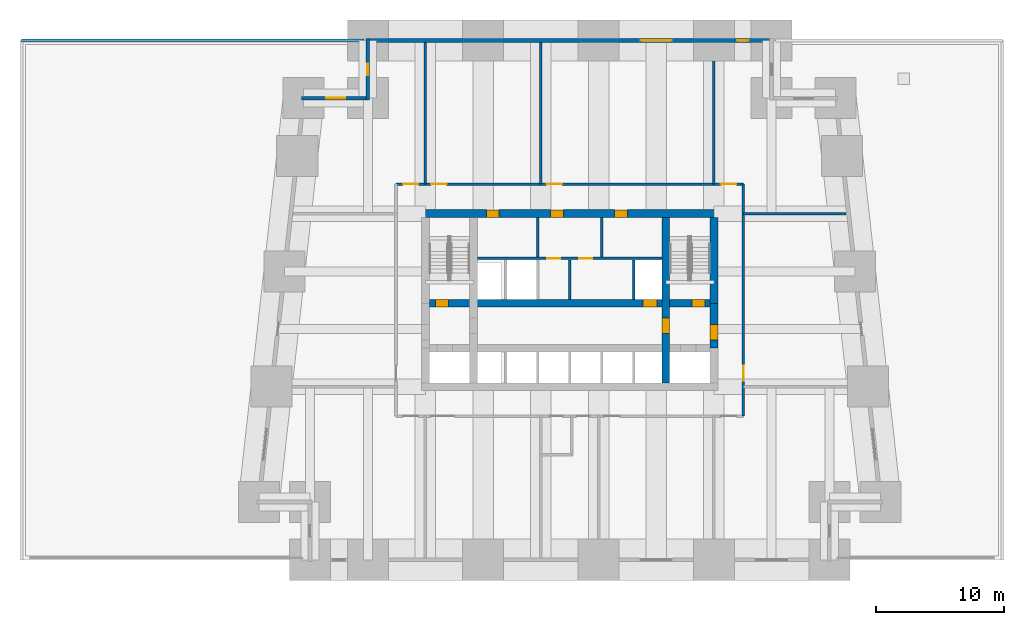
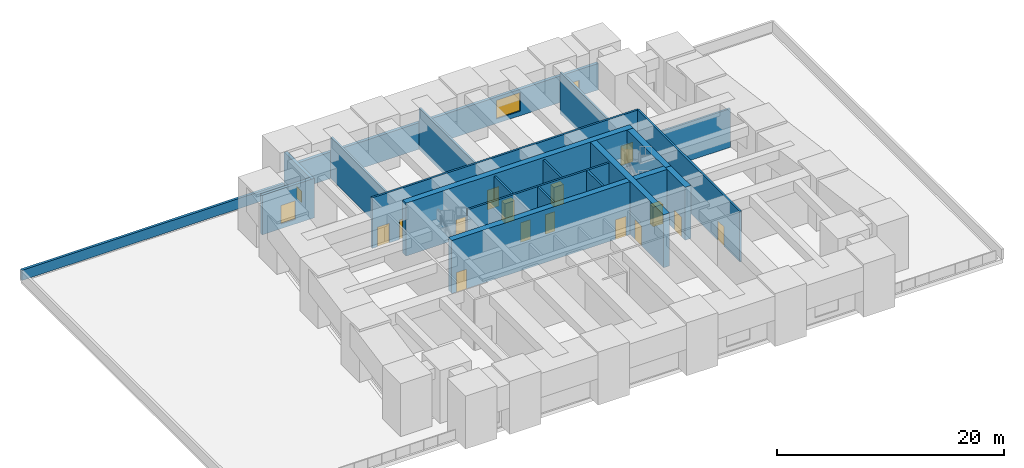
# One storey, part 4 of 7: 20 walls, 15 doors, 4 windows, 19 openings.
"""IFC4 building model written with IfcOpenShell, lengths in metres."""

from ifc_helpers import new_model, si_unit, direction, frame, frame_2d, origin, place, context, subcontext, project, spatial, rectangle, extrude, material, layer, layer_set, type_object, element, fill, save


model = new_model("IFC4")

# Units and contexts
model_context = context("Model", 3, precision=1e-05, world=origin(), true_north=direction((0.0, 1.0)))
body_context = subcontext(model_context, "Body", "Model", "MODEL_VIEW")
ifc_project = project(units=[si_unit("LENGTHUNIT", "METRE"), si_unit("AREAUNIT", "SQUARE_METRE"), si_unit("VOLUMEUNIT", "CUBIC_METRE"), si_unit("PLANEANGLEUNIT", "RADIAN"), si_unit("MASSUNIT", "GRAM", prefix="KILO")], contexts=[model_context])

# Site, building, storey
site_placement = place(None, origin())
site = spatial("IfcSite", under=ifc_project, at=site_placement, CompositionType="ELEMENT")
building_placement = place(site_placement, origin())
building = spatial("IfcBuilding", under=site, at=building_placement, Name="Kilele Tower Hotel", CompositionType="ELEMENT")
storey_placement = place(building_placement, frame((0.0, 0.0, 24.0)))
storey = spatial("IfcBuildingStorey", under=building, at=storey_placement, Name="L04", CompositionType="ELEMENT", Elevation=24.0)

# Wall, openings, doors
ifc_material_1 = material(Name="Concrete C60/75", Category="concrete")
ifc_layer_1 = layer(ifc_material_1, 0.60009765625)
ifc_layer_set_1 = layer_set([ifc_layer_1], Name="Concrete C60/75")
wall_type_1 = type_object("IfcWallType", Name="Core wall 600 C60/75", PredefinedType="SHEAR", material=ifc_layer_set_1)
wall_1_placement = place(storey_placement, frame((36.300048828125, 27.0, 0.0), z_axis=(0.0, 0.0, 1.0), x_axis=(-1.0, 0.0, 0.0)))
wall_1 = element("IfcWall", 1, at=wall_1_placement, inside=storey, type_object=wall_type_1, Name="Core wall N L04", PredefinedType="SHEAR", context=body_context, shape_type="SweptSolid", body=[
    extrude(rectangle(XDim=23.10009765625, YDim=0.60009765625, at=frame_2d((11.550048828125, 0.0))), origin(), (0.0, 0.0, 1.0), 5.699951171875),
])
opening_1_placement = place(wall_1_placement, frame((17.050048828125, 0.0, 0.0)))
opening_1 = element("IfcOpeningElement", 2, at=opening_1_placement, cuts=wall_1, Name="Opening D6", PredefinedType="OPENING", context=body_context, shape_type="SweptSolid", body=[
    extrude(rectangle(XDim=1.0, YDim=2.10009765625, at=frame_2d((0.5, 1.050048828125))), frame((0.0, 0.31005859375, 0.0), z_axis=(0.0, -1.0, 0.0), x_axis=(1.0, 0.0, 0.0)), (0.0, 0.0, 1.0), 0.6201171875),
])
opening_2_placement = place(wall_1_placement, frame((12.050048828125, 0.0, 0.0)))
opening_2 = element("IfcOpeningElement", 3, at=opening_2_placement, cuts=wall_1, Name="Opening D6", PredefinedType="OPENING", context=body_context, shape_type="SweptSolid", body=[
    extrude(rectangle(XDim=1.0, YDim=2.10009765625, at=frame_2d((0.5, 1.050048828125))), frame((0.0, 0.31005859375, 0.0), z_axis=(0.0, -1.0, 0.0), x_axis=(1.0, 0.0, 0.0)), (0.0, 0.0, 1.0), 0.6201171875),
])
opening_3_placement = place(wall_1_placement, frame((7.050048828125, 0.0, 0.0)))
opening_3 = element("IfcOpeningElement", 4, at=opening_3_placement, cuts=wall_1, Name="Opening D6", PredefinedType="OPENING", context=body_context, shape_type="SweptSolid", body=[
    extrude(rectangle(XDim=1.0, YDim=2.10009765625, at=frame_2d((0.5, 1.050048828125))), frame((0.0, 0.31005859375, 0.0), z_axis=(0.0, -1.0, 0.0), x_axis=(1.0, 0.0, 0.0)), (0.0, 0.0, 1.0), 0.6201171875),
])
ifc_material_2 = material(Name="Timber door leaf in hardwood frame", Category="wood")
door_type_1 = type_object("IfcDoorType", Name="Riser door 1000", OperationType="SINGLE_SWING_LEFT", PredefinedType="DOOR", material=ifc_material_2)
door_1_placement = place(opening_1_placement, origin())
door_1 = element("IfcDoor", 5, at=door_1_placement, inside=storey, type_object=door_type_1, Name="Service riser door L04", OperationType="SINGLE_SWING_RIGHT", OverallHeight=2.10009765625, OverallWidth=1.0, PredefinedType="DOOR", context=body_context, shape_type="SweptSolid", body=[
    extrude(rectangle(XDim=1.0, YDim=2.10009765625, at=frame_2d((0.5, 1.050048828125))), frame((0.0, 0.2998046875, 0.0), z_axis=(0.0, -1.0, 0.0), x_axis=(1.0, 0.0, 0.0)), (0.0, 0.0, 1.0), 0.599609375),
])
fill(opening_1, door_1)
door_2_placement = place(opening_2_placement, origin())
door_2 = element("IfcDoor", 6, at=door_2_placement, inside=storey, type_object=door_type_1, Name="Plant store door L04", OperationType="SINGLE_SWING_RIGHT", OverallHeight=2.10009765625, OverallWidth=1.0, PredefinedType="DOOR", context=body_context, shape_type="SweptSolid", body=[
    extrude(rectangle(XDim=1.0, YDim=2.10009765625, at=frame_2d((0.5, 1.050048828125))), frame((0.0, 0.2998046875, 0.0), z_axis=(0.0, -1.0, 0.0), x_axis=(1.0, 0.0, 0.0)), (0.0, 0.0, 1.0), 0.599609375),
])
fill(opening_2, door_2)
door_3_placement = place(opening_3_placement, origin())
door_3 = element("IfcDoor", 7, at=door_3_placement, inside=storey, type_object=door_type_1, Name="Electrical riser door L04", OperationType="SINGLE_SWING_RIGHT", OverallHeight=2.10009765625, OverallWidth=1.0, PredefinedType="DOOR", context=body_context, shape_type="SweptSolid", body=[
    extrude(rectangle(XDim=1.0, YDim=2.10009765625, at=frame_2d((0.5, 1.050048828125))), frame((0.0, 0.2998046875, 0.0), z_axis=(0.0, -1.0, 0.0), x_axis=(1.0, 0.0, 0.0)), (0.0, 0.0, 1.0), 0.599609375),
])
fill(opening_3, door_3)

# Wall, opening, door
wall_2_placement = place(storey_placement, frame((32.25, 13.800048828125, 0.0), z_axis=(0.0, 0.0, 1.0), x_axis=(0.0, 1.0, 0.0)))
wall_2 = element("IfcWall", 8, at=wall_2_placement, inside=storey, type_object=wall_type_1, Name="Core wall IE L04", PredefinedType="SHEAR", context=body_context, shape_type="SweptSolid", body=[
    extrude(rectangle(XDim=12.89990234375, YDim=0.60009765625, at=frame_2d((6.449951171875, 0.0))), origin(), (0.0, 0.0, 1.0), 5.699951171875),
])
opening_4_placement = place(wall_2_placement, frame((5.050048828125, 0.0, 0.0), z_axis=(0.0, 0.0, 1.0), x_axis=(-1.0, 0.0, 0.0)))
opening_4 = element("IfcOpeningElement", 9, at=opening_4_placement, cuts=wall_2, Name="Opening D4", PredefinedType="OPENING", context=body_context, shape_type="SweptSolid", body=[
    extrude(rectangle(XDim=1.199951171875, YDim=2.10009765625, at=frame_2d((0.60009765625, 1.050048828125))), frame((0.0, 0.31005859375, 0.0), z_axis=(0.0, -1.0, 0.0), x_axis=(1.0, 0.0, 0.0)), (0.0, 0.0, 1.0), 0.6201171875),
])
ifc_material_3 = material(Name="Timber door leaf in hardwood frame", Category="wood")
door_type_2 = type_object("IfcDoorType", Name="Firefighting lobby door 1200", OperationType="SINGLE_SWING_LEFT", PredefinedType="DOOR", material=ifc_material_3)
door_4_placement = place(opening_4_placement, origin())
door_4 = element("IfcDoor", 10, at=door_4_placement, inside=storey, type_object=door_type_2, Name="Lobby door L04", OperationType="SINGLE_SWING_RIGHT", OverallHeight=2.10009765625, OverallWidth=1.199951171875, PredefinedType="DOOR", context=body_context, shape_type="SweptSolid", body=[
    extrude(rectangle(XDim=1.199951171875, YDim=2.10009765625, at=frame_2d((0.60009765625, 1.050048828125))), frame((0.0, 0.2998046875, 0.0), z_axis=(0.0, -1.0, 0.0), x_axis=(1.0, 0.0, 0.0)), (0.0, 0.0, 1.0), 0.599609375),
])
fill(opening_4, door_4)

# Wall, openings, doors
wall_3_placement = place(storey_placement, frame((13.800048828125, 20.0, 0.0), z_axis=(0.0, 0.0, 1.0), x_axis=(1.0, 0.0, 0.0)))
wall_3 = element("IfcWall", 11, at=wall_3_placement, inside=storey, type_object=wall_type_1, Name="Core wall LN L04", PredefinedType="SHEAR", context=body_context, shape_type="SweptSolid", body=[
    extrude(rectangle(XDim=21.89990234375, YDim=0.60009765625, at=frame_2d((10.949951171875, 0.0))), origin(), (0.0, 0.0, 1.0), 5.699951171875),
])
opening_5_placement = place(wall_3_placement, frame((0.5, 0.0, 0.0)))
opening_5 = element("IfcOpeningElement", 12, at=opening_5_placement, cuts=wall_3, Name="Opening D5", PredefinedType="OPENING", context=body_context, shape_type="SweptSolid", body=[
    extrude(rectangle(XDim=1.0, YDim=2.10009765625, at=frame_2d((0.5, 1.050048828125))), frame((0.0, 0.31005859375, 0.0), z_axis=(0.0, -1.0, 0.0), x_axis=(1.0, 0.0, 0.0)), (0.0, 0.0, 1.0), 0.6201171875),
])
opening_6_placement = place(wall_3_placement, frame((20.5, 0.0, 0.0)))
opening_6 = element("IfcOpeningElement", 13, at=opening_6_placement, cuts=wall_3, Name="Opening D5", PredefinedType="OPENING", context=body_context, shape_type="SweptSolid", body=[
    extrude(rectangle(XDim=1.0, YDim=2.10009765625, at=frame_2d((0.5, 1.050048828125))), frame((0.0, 0.31005859375, 0.0), z_axis=(0.0, -1.0, 0.0), x_axis=(1.0, 0.0, 0.0)), (0.0, 0.0, 1.0), 0.6201171875),
])
opening_7_placement = place(wall_3_placement, frame((16.64990234375, 0.0, 0.0)))
opening_7 = element("IfcOpeningElement", 14, at=opening_7_placement, cuts=wall_3, Name="Opening LD1", PredefinedType="OPENING", context=body_context, shape_type="SweptSolid", body=[
    extrude(rectangle(XDim=1.10009765625, YDim=2.10009765625, at=frame_2d((0.550048828125, 1.050048828125))), frame((0.0, 0.31005859375, 0.0), z_axis=(0.0, -1.0, 0.0), x_axis=(1.0, 0.0, 0.0)), (0.0, 0.0, 1.0), 0.6201171875),
])
ifc_material_4 = material(Name="Steel lift landing door", Category="steel")
door_type_3 = type_object("IfcDoorType", Name="Lift landing door 1100", OperationType="SLIDING_TO_LEFT", PredefinedType="DOOR", material=ifc_material_4)
door_5_placement = place(opening_7_placement, origin())
door_5 = element("IfcDoor", 15, at=door_5_placement, inside=storey, type_object=door_type_3, Name="Landing door G1 L04", OperationType="SLIDING_TO_LEFT", OverallHeight=2.10009765625, OverallWidth=1.10009765625, PredefinedType="DOOR", context=body_context, shape_type="SweptSolid", body=[
    extrude(rectangle(XDim=1.10009765625, YDim=2.10009765625, at=frame_2d((0.550048828125, 1.050048828125))), frame((0.0, 0.2998046875, 0.0), z_axis=(0.0, -1.0, 0.0), x_axis=(1.0, 0.0, 0.0)), (0.0, 0.0, 1.0), 0.599609375),
])
fill(opening_7, door_5)
ifc_material_5 = material(Name="Timber door leaf in hardwood frame", Category="wood")
door_type_4 = type_object("IfcDoorType", Name="Stair door 1000", OperationType="SINGLE_SWING_LEFT", PredefinedType="DOOR", material=ifc_material_5)
door_6_placement = place(opening_5_placement, origin())
door_6 = element("IfcDoor", 16, at=door_6_placement, inside=storey, type_object=door_type_4, Name="Stair 1 door L04", OperationType="SINGLE_SWING_LEFT", OverallHeight=2.10009765625, OverallWidth=1.0, PredefinedType="DOOR", context=body_context, shape_type="SweptSolid", body=[
    extrude(rectangle(XDim=1.0, YDim=2.10009765625, at=frame_2d((0.5, 1.050048828125))), frame((0.0, 0.2998046875, 0.0), z_axis=(0.0, -1.0, 0.0), x_axis=(1.0, 0.0, 0.0)), (0.0, 0.0, 1.0), 0.599609375),
])
fill(opening_5, door_6)
door_7_placement = place(opening_6_placement, origin())
door_7 = element("IfcDoor", 17, at=door_7_placement, inside=storey, type_object=door_type_4, Name="Stair 2 door L04", OperationType="SINGLE_SWING_RIGHT", OverallHeight=2.10009765625, OverallWidth=1.0, PredefinedType="DOOR", context=body_context, shape_type="SweptSolid", body=[
    extrude(rectangle(XDim=1.0, YDim=2.10009765625, at=frame_2d((0.5, 1.050048828125))), frame((0.0, 0.2998046875, 0.0), z_axis=(0.0, -1.0, 0.0), x_axis=(1.0, 0.0, 0.0)), (0.0, 0.0, 1.0), 0.599609375),
])
fill(opening_6, door_7)

# Wall, opening, door
wall_4_placement = place(storey_placement, frame((36.0, 16.5, 0.0), z_axis=(0.0, 0.0, 1.0), x_axis=(0.0, 1.0, 0.0)))
wall_4 = element("IfcWall", 18, at=wall_4_placement, inside=storey, type_object=wall_type_1, Name="Core wall E2 L04", PredefinedType="SHEAR", context=body_context, shape_type="SweptSolid", body=[
    extrude(rectangle(XDim=3.5, YDim=0.60009765625, at=frame_2d((1.75, 0.0))), origin(), (0.0, 0.0, 1.0), 5.699951171875),
])
opening_8_placement = place(wall_4_placement, frame((0.64990234375, 0.0, 0.0)))
opening_8 = element("IfcOpeningElement", 19, at=opening_8_placement, cuts=wall_4, Name="Opening D4", PredefinedType="OPENING", context=body_context, shape_type="SweptSolid", body=[
    extrude(rectangle(XDim=1.199951171875, YDim=2.10009765625, at=frame_2d((0.60009765625, 1.050048828125))), frame((0.0, 0.31005859375, 0.0), z_axis=(0.0, -1.0, 0.0), x_axis=(1.0, 0.0, 0.0)), (0.0, 0.0, 1.0), 0.6201171875),
])
door_8_placement = place(opening_8_placement, origin())
door_8 = element("IfcDoor", 20, at=door_8_placement, inside=storey, type_object=door_type_2, Name="Lobby door L04", OperationType="SINGLE_SWING_LEFT", OverallHeight=2.10009765625, OverallWidth=1.199951171875, PredefinedType="DOOR", context=body_context, shape_type="SweptSolid", body=[
    extrude(rectangle(XDim=1.199951171875, YDim=2.10009765625, at=frame_2d((0.60009765625, 1.050048828125))), frame((0.0, 0.2998046875, 0.0), z_axis=(0.0, -1.0, 0.0), x_axis=(1.0, 0.0, 0.0)), (0.0, 0.0, 1.0), 0.599609375),
])
fill(opening_8, door_8)

# Wall
wall_5_placement = place(storey_placement, frame((36.0, 20.0, 0.0), z_axis=(0.0, 0.0, 1.0), x_axis=(0.0, 1.0, 0.0)))
element("IfcWall", 21, at=wall_5_placement, inside=storey, type_object=wall_type_1, Name="Core wall E3 L04", PredefinedType="SHEAR", context=body_context, shape_type="SweptSolid", body=[
    extrude(rectangle(XDim=6.699951171875, YDim=0.60009765625, at=frame_2d((3.35009765625, 0.0))), origin(), (0.0, 0.0, 1.0), 5.699951171875),
])

# Wall, opening, door
ifc_material_6 = material(Name="Blockwork, plastered both sides", Category="masonry")
ifc_layer_2 = layer(ifc_material_6, 0.199951171875)
ifc_layer_set_2 = layer_set([ifc_layer_2], Name="Blockwork, plastered both sides")
wall_type_2 = type_object("IfcWallType", Name="Corridor wall 200", PredefinedType="PARTITIONING", material=ifc_layer_set_2)
wall_6_placement = place(storey_placement, frame((38.300048828125, 11.199951171875, 0.0), z_axis=(0.0, 0.0, 1.0), x_axis=(0.0, 1.0, 0.0)))
wall_6 = element("IfcWall", 22, at=wall_6_placement, inside=storey, type_object=wall_type_2, Name="Corridor wall 200 L04", PredefinedType="PARTITIONING", context=body_context, shape_type="SweptSolid", body=[
    extrude(rectangle(XDim=18.10009765625, YDim=0.199951171875, at=frame_2d((9.050048828125, 0.0))), origin(), (0.0, 0.0, 1.0), 5.449951171875),
])
opening_9_placement = place(wall_6_placement, frame((3.949951171875, 0.0, 0.0), z_axis=(0.0, 0.0, 1.0), x_axis=(-1.0, 0.0, 0.0)))
opening_9 = element("IfcOpeningElement", 23, at=opening_9_placement, cuts=wall_6, Name="Opening D7A", PredefinedType="OPENING", context=body_context, shape_type="SweptSolid", body=[
    extrude(rectangle(XDim=1.199951171875, YDim=2.10009765625, at=frame_2d((0.60009765625, 1.050048828125))), frame((0.0, 0.10986328125, 0.0), z_axis=(0.0, -1.0, 0.0), x_axis=(1.0, 0.0, 0.0)), (0.0, 0.0, 1.0), 0.219970703125),
])
ifc_material_7 = material(Name="Timber door leaf in hardwood frame", Category="wood")
door_type_5 = type_object("IfcDoorType", Name="Plant room door 1200", OperationType="SINGLE_SWING_LEFT", PredefinedType="DOOR", material=ifc_material_7)
door_9_placement = place(opening_9_placement, origin())
door_9 = element("IfcDoor", 24, at=door_9_placement, inside=storey, type_object=door_type_5, Name="Door Podium air handling plant room 0405", OperationType="SINGLE_SWING_RIGHT", OverallHeight=2.10009765625, OverallWidth=1.199951171875, PredefinedType="DOOR", context=body_context, shape_type="SweptSolid", body=[
    extrude(rectangle(XDim=1.199951171875, YDim=2.10009765625, at=frame_2d((0.60009765625, 1.050048828125))), frame((0.0, 0.02490234375, 0.0), z_axis=(0.0, -1.0, 0.0), x_axis=(1.0, 0.0, 0.0)), (0.0, 0.0, 1.0), 0.050048828125),
])
fill(opening_9, door_9)

# Wall, openings, doors
wall_7_placement = place(storey_placement, frame((11.199951171875, 29.300048828125, 0.0), z_axis=(0.0, 0.0, 1.0), x_axis=(1.0, 0.0, 0.0)))
wall_7 = element("IfcWall", 25, at=wall_7_placement, inside=storey, type_object=wall_type_2, Name="Corridor wall 200 L04", PredefinedType="PARTITIONING", context=body_context, shape_type="SweptSolid", body=[
    extrude(rectangle(XDim=27.10009765625, YDim=0.199951171875, at=frame_2d((13.550048828125, 0.0))), origin(), (0.0, 0.0, 1.0), 5.449951171875),
])
opening_10_placement = place(wall_7_placement, frame((2.75, 0.0, 0.0)))
opening_10 = element("IfcOpeningElement", 26, at=opening_10_placement, cuts=wall_7, Name="Opening D7A", PredefinedType="OPENING", context=body_context, shape_type="SweptSolid", body=[
    extrude(rectangle(XDim=1.199951171875, YDim=2.10009765625, at=frame_2d((0.60009765625, 1.050048828125))), frame((0.0, 0.10986328125, 0.0), z_axis=(0.0, -1.0, 0.0), x_axis=(1.0, 0.0, 0.0)), (0.0, 0.0, 1.0), 0.219970703125),
])
opening_11_placement = place(wall_7_placement, frame((11.75, 0.0, 0.0)))
opening_11 = element("IfcOpeningElement", 27, at=opening_11_placement, cuts=wall_7, Name="Opening D7A", PredefinedType="OPENING", context=body_context, shape_type="SweptSolid", body=[
    extrude(rectangle(XDim=1.199951171875, YDim=2.10009765625, at=frame_2d((0.60009765625, 1.050048828125))), frame((0.0, 0.10986328125, 0.0), z_axis=(0.0, -1.0, 0.0), x_axis=(1.0, 0.0, 0.0)), (0.0, 0.0, 1.0), 0.219970703125),
])
opening_12_placement = place(wall_7_placement, frame((0.550048828125, 0.0, 0.0)))
opening_12 = element("IfcOpeningElement", 28, at=opening_12_placement, cuts=wall_7, Name="Opening D7A", PredefinedType="OPENING", context=body_context, shape_type="SweptSolid", body=[
    extrude(rectangle(XDim=1.199951171875, YDim=2.10009765625, at=frame_2d((0.60009765625, 1.050048828125))), frame((0.0, 0.10986328125, 0.0), z_axis=(0.0, -1.0, 0.0), x_axis=(1.0, 0.0, 0.0)), (0.0, 0.0, 1.0), 0.219970703125),
])
opening_13_placement = place(wall_7_placement, frame((25.35009765625, 0.0, 0.0)))
opening_13 = element("IfcOpeningElement", 29, at=opening_13_placement, cuts=wall_7, Name="Opening D7A", PredefinedType="OPENING", context=body_context, shape_type="SweptSolid", body=[
    extrude(rectangle(XDim=1.199951171875, YDim=2.10009765625, at=frame_2d((0.60009765625, 1.050048828125))), frame((0.0, 0.10986328125, 0.0), z_axis=(0.0, -1.0, 0.0), x_axis=(1.0, 0.0, 0.0)), (0.0, 0.0, 1.0), 0.219970703125),
])
door_10_placement = place(opening_10_placement, origin())
door_10 = element("IfcDoor", 30, at=door_10_placement, inside=storey, type_object=door_type_5, Name="Door Domestic water booster pump room 0406", OperationType="SINGLE_SWING_LEFT", OverallHeight=2.10009765625, OverallWidth=1.199951171875, PredefinedType="DOOR", context=body_context, shape_type="SweptSolid", body=[
    extrude(rectangle(XDim=1.199951171875, YDim=2.10009765625, at=frame_2d((0.60009765625, 1.050048828125))), frame((0.0, 0.02490234375, 0.0), z_axis=(0.0, -1.0, 0.0), x_axis=(1.0, 0.0, 0.0)), (0.0, 0.0, 1.0), 0.050048828125),
])
fill(opening_10, door_10)
door_11_placement = place(opening_11_placement, origin())
door_11 = element("IfcDoor", 31, at=door_11_placement, inside=storey, type_object=door_type_5, Name="Door Kitchen supply air plant room 0407", OperationType="SINGLE_SWING_LEFT", OverallHeight=2.10009765625, OverallWidth=1.199951171875, PredefinedType="DOOR", context=body_context, shape_type="SweptSolid", body=[
    extrude(rectangle(XDim=1.199951171875, YDim=2.10009765625, at=frame_2d((0.60009765625, 1.050048828125))), frame((0.0, 0.02490234375, 0.0), z_axis=(0.0, -1.0, 0.0), x_axis=(1.0, 0.0, 0.0)), (0.0, 0.0, 1.0), 0.050048828125),
])
fill(opening_11, door_11)
door_12_placement = place(opening_12_placement, origin())
door_12 = element("IfcDoor", 32, at=door_12_placement, inside=storey, type_object=door_type_5, Name="Door Podium chilled water pump room 0411", OperationType="SINGLE_SWING_RIGHT", OverallHeight=2.10009765625, OverallWidth=1.199951171875, PredefinedType="DOOR", context=body_context, shape_type="SweptSolid", body=[
    extrude(rectangle(XDim=1.199951171875, YDim=2.10009765625, at=frame_2d((0.60009765625, 1.050048828125))), frame((0.0, 0.02490234375, 0.0), z_axis=(0.0, -1.0, 0.0), x_axis=(1.0, 0.0, 0.0)), (0.0, 0.0, 1.0), 0.050048828125),
])
fill(opening_12, door_12)
door_13_placement = place(opening_13_placement, origin())
door_13 = element("IfcDoor", 33, at=door_13_placement, inside=storey, type_object=door_type_5, Name="Door Podium electrical switch room 0412", OperationType="SINGLE_SWING_LEFT", OverallHeight=2.10009765625, OverallWidth=1.199951171875, PredefinedType="DOOR", context=body_context, shape_type="SweptSolid", body=[
    extrude(rectangle(XDim=1.199951171875, YDim=2.10009765625, at=frame_2d((0.60009765625, 1.050048828125))), frame((0.0, 0.02490234375, 0.0), z_axis=(0.0, -1.0, 0.0), x_axis=(1.0, 0.0, 0.0)), (0.0, 0.0, 1.0), 0.050048828125),
])
fill(opening_13, door_13)

# Walls
ifc_material_8 = material(Name="Concrete C40/50 precast", Category="concrete")
ifc_layer_3 = layer(ifc_material_8, 0.2099609375, Name="Precast backing", Category="LoadBearing")
ifc_material_9 = material(Name="Reconstituted stone finish", Category="masonry")
ifc_layer_4 = layer(ifc_material_9, 0.0400390625, Name="Face mix", Category="Finish")
ifc_layer_set_3 = layer_set([ifc_layer_3, ifc_layer_4], Name="Precast concrete C40/50, reconstituted stone finish")
wall_type_3 = type_object("IfcWallType", Name="Parapet wall 250", PredefinedType="PARAPET", material=ifc_layer_set_3)
wall_8_placement = place(storey_placement, frame((-18.0, 40.5, 0.0), z_axis=(0.0, 0.0, 1.0), x_axis=(1.0, 0.0, 0.0)))
element("IfcWall", 34, at=wall_8_placement, inside=storey, type_object=wall_type_3, Name="Podium roof parapet", PredefinedType="PARAPET", context=body_context, shape_type="SweptSolid", body=[
    extrude(rectangle(XDim=26.698974609375, YDim=0.25, at=frame_2d((13.349609375, 0.0))), origin(), (0.0, 0.0, 1.0), 1.10009765625),
])
ifc_material_10 = material(Name="Blockwork, plastered both sides", Category="masonry")
ifc_layer_5 = layer(ifc_material_10, 0.199951171875)
ifc_layer_set_4 = layer_set([ifc_layer_5], Name="Blockwork, plastered both sides")
wall_type_4 = type_object("IfcWallType", Name="Partition wall 200", PredefinedType="PARTITIONING", material=ifc_layer_set_4)
wall_9_placement = place(storey_placement, frame((38.300048828125, 27.0, 0.0), z_axis=(0.0, 0.0, 1.0), x_axis=(1.0, 0.0, 0.0)))
element("IfcWall", 35, at=wall_9_placement, inside=storey, type_object=wall_type_4, Name="Partition wall 200 L04", PredefinedType="PARTITIONING", context=body_context, shape_type="SweptSolid", body=[
    extrude(rectangle(XDim=7.9990234375, YDim=0.199951171875, at=frame_2d((3.99951171875, 0.0))), origin(), (0.0, 0.0, 1.0), 4.14990234375),
])
for number, where, z_axis, x_axis, name in (
    (36, (13.5, 29.300048828125, 0.0), (0.0, 0.0, 1.0), (0.0, 1.0, 0.0), "Partition wall 200 L04"),
    (37, (22.5, 29.300048828125, 0.0), (0.0, 0.0, 1.0), (0.0, 1.0, 0.0), "Partition wall 200 L04"),
):
    element("IfcWall", number, at=place(storey_placement, frame(where, z_axis=z_axis, x_axis=x_axis)), inside=storey, type_object=wall_type_4, Name=name, PredefinedType="PARTITIONING", context=body_context, shape_type="SweptSolid", body=[
        extrude(rectangle(XDim=11.050048828125, YDim=0.199951171875, at=frame_2d((5.52490234375, 0.0))), origin(), (0.0, 0.0, 1.0), 4.449951171875),
    ])
wall_10_placement = place(storey_placement, frame((36.0, 29.300048828125, 0.0), z_axis=(0.0, 0.0, 1.0), x_axis=(0.0, 1.0, 0.0)))
element("IfcWall", 38, at=wall_10_placement, inside=storey, type_object=wall_type_4, Name="Partition wall 200 L04", PredefinedType="PARTITIONING", context=body_context, shape_type="SweptSolid", body=[
    extrude(rectangle(XDim=9.58984375, YDim=0.199951171875, at=frame_2d((4.794921875, 0.0))), origin(), (0.0, 0.0, 1.0), 4.449951171875),
])

# Wall, openings, windows
ifc_material_11 = material(Name="Concrete C40/50 precast", Category="concrete")
ifc_layer_6 = layer(ifc_material_11, 0.260009765625, Name="Precast backing", Category="LoadBearing")
ifc_material_12 = material(Name="Reconstituted stone finish", Category="masonry")
ifc_layer_7 = layer(ifc_material_12, 0.0400390625, Name="Face mix", Category="Finish")
ifc_layer_set_5 = layer_set([ifc_layer_6, ifc_layer_7], Name="Precast concrete C40/50, reconstituted stone finish")
wall_type_5 = type_object("IfcWallType", Name="Precast stone facade wall 300", PredefinedType="STANDARD", material=ifc_layer_set_5)
wall_11_placement = place(storey_placement, frame((40.64990234375, 40.5, 0.0), z_axis=(0.0, 0.0, 1.0), x_axis=(-1.0, 0.0, 0.0)))
wall_11 = element("IfcWall", 39, at=wall_11_placement, inside=storey, type_object=wall_type_5, Name="Facade wall L04 edge 9", PredefinedType="STANDARD", context=body_context, shape_type="SweptSolid", body=[
    extrude(rectangle(XDim=31.7998046875, YDim=0.300048828125, at=frame_2d((15.89990234375, 0.0))), origin(), (0.0, 0.0, 1.0), 2.85009765625),
])
opening_14_placement = place(wall_11_placement, frame((1.949951171875, 0.0, 0.5)))
opening_14 = element("IfcOpeningElement", 40, at=opening_14_placement, cuts=wall_11, Name="Opening LV1", PredefinedType="OPENING", context=body_context, shape_type="SweptSolid", body=[
    extrude(rectangle(XDim=0.89990234375, YDim=1.199951171875, at=frame_2d((0.449951171875, 0.60009765625))), frame((0.0, 0.159912109375, 0.0), z_axis=(0.0, -1.0, 0.0), x_axis=(1.0, 0.0, 0.0)), (0.0, 0.0, 1.0), 0.320068359375),
])
opening_15_placement = place(wall_11_placement, frame((7.949951171875, 0.0, 0.5)))
opening_15 = element("IfcOpeningElement", 41, at=opening_15_placement, cuts=wall_11, Name="Opening LV1", PredefinedType="OPENING", context=body_context, shape_type="SweptSolid", body=[
    extrude(rectangle(XDim=2.39990234375, YDim=2.0, at=frame_2d((1.199951171875, 1.0))), frame((0.0, 0.159912109375, 0.0), z_axis=(0.0, -1.0, 0.0), x_axis=(1.0, 0.0, 0.0)), (0.0, 0.0, 1.0), 0.320068359375),
])
ifc_material_13 = material(Name="Aluminium weather louvre with insect mesh", Category="aluminium")
window_type_1 = type_object("IfcWindowType", Name="Ventilation louvre 2400 x 2000", PartitioningType="SINGLE_PANEL", PredefinedType="USERDEFINED", material=ifc_material_13)
window_1_placement = place(opening_15_placement, origin())
window_1 = element("IfcWindow", 42, at=window_1_placement, inside=storey, type_object=window_type_1, Name="Louvre L04", ObjectType="LOUVRE", OverallHeight=2.0, OverallWidth=2.39990234375, PartitioningType="SINGLE_PANEL", PredefinedType="USERDEFINED", context=body_context, shape_type="SweptSolid", body=[
    extrude(rectangle(XDim=2.39990234375, YDim=2.0, at=frame_2d((1.199951171875, 1.0))), frame((0.0, 0.030029296875, 0.0), z_axis=(0.0, -1.0, 0.0), x_axis=(1.0, 0.0, 0.0)), (0.0, 0.0, 1.0), 0.06005859375),
])
fill(opening_15, window_1)
ifc_material_14 = material(Name="Aluminium weather louvre with insect mesh", Category="aluminium")
window_type_2 = type_object("IfcWindowType", Name="Ventilation louvre 900 x 1200", PartitioningType="SINGLE_PANEL", PredefinedType="USERDEFINED", material=ifc_material_14)
window_2_placement = place(opening_14_placement, origin())
window_2 = element("IfcWindow", 43, at=window_2_placement, inside=storey, type_object=window_type_2, Name="Louvre L04", ObjectType="LOUVRE", OverallHeight=1.199951171875, OverallWidth=0.89990234375, PartitioningType="SINGLE_PANEL", PredefinedType="USERDEFINED", context=body_context, shape_type="SweptSolid", body=[
    extrude(rectangle(XDim=0.89990234375, YDim=1.199951171875, at=frame_2d((0.449951171875, 0.60009765625))), frame((0.0, 0.030029296875, 0.0), z_axis=(0.0, -1.0, 0.0), x_axis=(1.0, 0.0, 0.0)), (0.0, 0.0, 1.0), 0.06005859375),
])
fill(opening_14, window_2)

# Wall, opening, window
wall_12_placement = place(storey_placement, frame((9.0, 40.64990234375, 0.0), z_axis=(0.0, 0.0, 1.0), x_axis=(0.0, -1.0, 0.0)))
wall_12 = element("IfcWall", 44, at=wall_12_placement, inside=storey, type_object=wall_type_5, Name="Facade wall L04 edge 10", PredefinedType="STANDARD", context=body_context, shape_type="SweptSolid", body=[
    extrude(rectangle(XDim=4.7998046875, YDim=0.300048828125, at=frame_2d((2.39990234375, 0.0))), origin(), (0.0, 0.0, 1.0), 4.25),
])
opening_16_placement = place(wall_12_placement, frame((1.949951171875, 0.0, 0.5)))
opening_16 = element("IfcOpeningElement", 45, at=opening_16_placement, cuts=wall_12, Name="Opening LV1", PredefinedType="OPENING", context=body_context, shape_type="SweptSolid", body=[
    extrude(rectangle(XDim=0.89990234375, YDim=1.199951171875, at=frame_2d((0.449951171875, 0.60009765625))), frame((0.0, 0.159912109375, 0.0), z_axis=(0.0, -1.0, 0.0), x_axis=(1.0, 0.0, 0.0)), (0.0, 0.0, 1.0), 0.320068359375),
])
window_3_placement = place(opening_16_placement, origin())
window_3 = element("IfcWindow", 46, at=window_3_placement, inside=storey, type_object=window_type_2, Name="Louvre L04", ObjectType="LOUVRE", OverallHeight=1.199951171875, OverallWidth=0.89990234375, PartitioningType="SINGLE_PANEL", PredefinedType="USERDEFINED", context=body_context, shape_type="SweptSolid", body=[
    extrude(rectangle(XDim=0.89990234375, YDim=1.199951171875, at=frame_2d((0.449951171875, 0.60009765625))), frame((0.0, 0.030029296875, 0.0), z_axis=(0.0, -1.0, 0.0), x_axis=(1.0, 0.0, 0.0)), (0.0, 0.0, 1.0), 0.06005859375),
])
fill(opening_16, window_3)

wall_13_placement = place(storey_placement, frame((9.14990234375, 36.0, 0.0), z_axis=(0.0, 0.0, 1.0), x_axis=(-1.0, 0.0, 0.0)))
wall_13 = element("IfcWall", 47, at=wall_13_placement, inside=storey, type_object=wall_type_5, Name="Facade wall L04 edge 11", PredefinedType="STANDARD", context=body_context, shape_type="SweptSolid", body=[
    extrude(rectangle(XDim=5.2998046875, YDim=0.300048828125, at=frame_2d((2.64990234375, 0.0))), origin(), (0.0, 0.0, 1.0), 4.25),
])
opening_17_placement = place(wall_13_placement, frame((1.89990234375, 0.0, 0.5)))
opening_17 = element("IfcOpeningElement", 48, at=opening_17_placement, cuts=wall_13, Name="Opening LV1", PredefinedType="OPENING", context=body_context, shape_type="SweptSolid", body=[
    extrude(rectangle(XDim=1.5, YDim=2.0, at=frame_2d((0.75, 1.0))), frame((0.0, 0.159912109375, 0.0), z_axis=(0.0, -1.0, 0.0), x_axis=(1.0, 0.0, 0.0)), (0.0, 0.0, 1.0), 0.320068359375),
])
ifc_material_15 = material(Name="Aluminium weather louvre with insect mesh", Category="aluminium")
window_type_3 = type_object("IfcWindowType", Name="Ventilation louvre 1500 x 2000", PartitioningType="SINGLE_PANEL", PredefinedType="USERDEFINED", material=ifc_material_15)
window_4_placement = place(opening_17_placement, origin())
window_4 = element("IfcWindow", 49, at=window_4_placement, inside=storey, type_object=window_type_3, Name="Louvre L04", ObjectType="LOUVRE", OverallHeight=2.0, OverallWidth=1.5, PartitioningType="SINGLE_PANEL", PredefinedType="USERDEFINED", context=body_context, shape_type="SweptSolid", body=[
    extrude(rectangle(XDim=1.5, YDim=2.0, at=frame_2d((0.75, 1.0))), frame((0.0, 0.030029296875, 0.0), z_axis=(0.0, -1.0, 0.0), x_axis=(1.0, 0.0, 0.0)), (0.0, 0.0, 1.0), 0.06005859375),
])
fill(opening_17, window_4)

# Walls
ifc_material_16 = material(Name="Blockwork, fire-rated", Category="masonry")
ifc_layer_8 = layer(ifc_material_16, 0.199951171875)
ifc_layer_set_6 = layer_set([ifc_layer_8], Name="Blockwork, fire-rated")
wall_type_6 = type_object("IfcWallType", Name="Shaft wall 200", PredefinedType="PARTITIONING", material=ifc_layer_set_6)
for number, where, z_axis, x_axis, name in (
    (50, (24.75, 20.300048828125, 0.0), (0.0, 0.0, 1.0), (0.0, 1.0, 0.0), "Shaft wall 200 L04"),
    (51, (29.75, 20.300048828125, 0.0), (0.0, 0.0, 1.0), (0.0, 1.0, 0.0), "Shaft wall 200 L04"),
):
    element("IfcWall", number, at=place(storey_placement, frame(where, z_axis=z_axis, x_axis=x_axis)), inside=storey, type_object=wall_type_6, Name=name, PredefinedType="PARTITIONING", context=body_context, shape_type="SweptSolid", body=[
        extrude(rectangle(XDim=3.099853515625, YDim=0.199951171875, at=frame_2d((1.5498046875, 0.0))), origin(), (0.0, 0.0, 1.0), 5.449951171875),
    ])

# Wall, openings, doors
wall_14_placement = place(storey_placement, frame((17.550048828125, 23.5, 0.0), z_axis=(0.0, 0.0, 1.0), x_axis=(1.0, 0.0, 0.0)))
wall_14 = element("IfcWall", 52, at=wall_14_placement, inside=storey, type_object=wall_type_6, Name="Shaft wall 200 L04", PredefinedType="PARTITIONING", context=body_context, shape_type="SweptSolid", body=[
    extrude(rectangle(XDim=14.39990234375, YDim=0.199951171875, at=frame_2d((7.199951171875, 0.0))), origin(), (0.0, 0.0, 1.0), 5.449951171875),
])
opening_18_placement = place(wall_14_placement, frame((6.449951171875, 0.0, 0.0), z_axis=(0.0, 0.0, 1.0), x_axis=(-1.0, 0.0, 0.0)))
opening_18 = element("IfcOpeningElement", 53, at=opening_18_placement, cuts=wall_14, Name="Opening D11", PredefinedType="OPENING", context=body_context, shape_type="SweptSolid", body=[
    extrude(rectangle(XDim=1.0, YDim=2.10009765625, at=frame_2d((0.5, 1.050048828125))), frame((0.0, 0.10986328125, 0.0), z_axis=(0.0, -1.0, 0.0), x_axis=(1.0, 0.0, 0.0)), (0.0, 0.0, 1.0), 0.219970703125),
])
opening_19_placement = place(wall_14_placement, frame((7.949951171875, 0.0, 0.0)))
opening_19 = element("IfcOpeningElement", 54, at=opening_19_placement, cuts=wall_14, Name="Opening D11", PredefinedType="OPENING", context=body_context, shape_type="SweptSolid", body=[
    extrude(rectangle(XDim=1.0, YDim=2.10009765625, at=frame_2d((0.5, 1.050048828125))), frame((0.0, 0.10986328125, 0.0), z_axis=(0.0, -1.0, 0.0), x_axis=(1.0, 0.0, 0.0)), (0.0, 0.0, 1.0), 0.219970703125),
])
ifc_material_17 = material(Name="Timber door leaf in hardwood frame", Category="wood")
door_type_6 = type_object("IfcDoorType", Name="Core store door 1000", OperationType="SINGLE_SWING_LEFT", PredefinedType="DOOR", material=ifc_material_17)
door_14_placement = place(opening_18_placement, origin())
door_14 = element("IfcDoor", 55, at=door_14_placement, inside=storey, type_object=door_type_6, Name="Core room door H1", OperationType="SINGLE_SWING_RIGHT", OverallHeight=2.10009765625, OverallWidth=1.0, PredefinedType="DOOR", context=body_context, shape_type="SweptSolid", body=[
    extrude(rectangle(XDim=1.0, YDim=2.10009765625, at=frame_2d((0.5, 1.050048828125))), frame((0.0, 0.02490234375, 0.0), z_axis=(0.0, -1.0, 0.0), x_axis=(1.0, 0.0, 0.0)), (0.0, 0.0, 1.0), 0.050048828125),
])
fill(opening_18, door_14)
door_15_placement = place(opening_19_placement, origin())
door_15 = element("IfcDoor", 56, at=door_15_placement, inside=storey, type_object=door_type_6, Name="Core room door H2", OperationType="SINGLE_SWING_RIGHT", OverallHeight=2.10009765625, OverallWidth=1.0, PredefinedType="DOOR", context=body_context, shape_type="SweptSolid", body=[
    extrude(rectangle(XDim=1.0, YDim=2.10009765625, at=frame_2d((0.5, 1.050048828125))), frame((0.0, 0.02490234375, 0.0), z_axis=(0.0, -1.0, 0.0), x_axis=(1.0, 0.0, 0.0)), (0.0, 0.0, 1.0), 0.050048828125),
])
fill(opening_19, door_15)

# Walls
for number, where, z_axis, x_axis, name in (
    (57, (22.25, 23.60009765625, 0.0), (0.0, 0.0, 1.0), (0.0, 1.0, 0.0), "Shaft wall 200 L04"),
    (58, (27.25, 23.60009765625, 0.0), (0.0, 0.0, 1.0), (0.0, 1.0, 0.0), "Shaft wall 200 L04"),
):
    element("IfcWall", number, at=place(storey_placement, frame(where, z_axis=z_axis, x_axis=x_axis)), inside=storey, type_object=wall_type_6, Name=name, PredefinedType="PARTITIONING", context=body_context, shape_type="SweptSolid", body=[
        extrude(rectangle(XDim=3.099853515625, YDim=0.199951171875, at=frame_2d((1.5498046875, 0.0))), origin(), (0.0, 0.0, 1.0), 5.449951171875),
    ])

save(model, "model.ifc")
